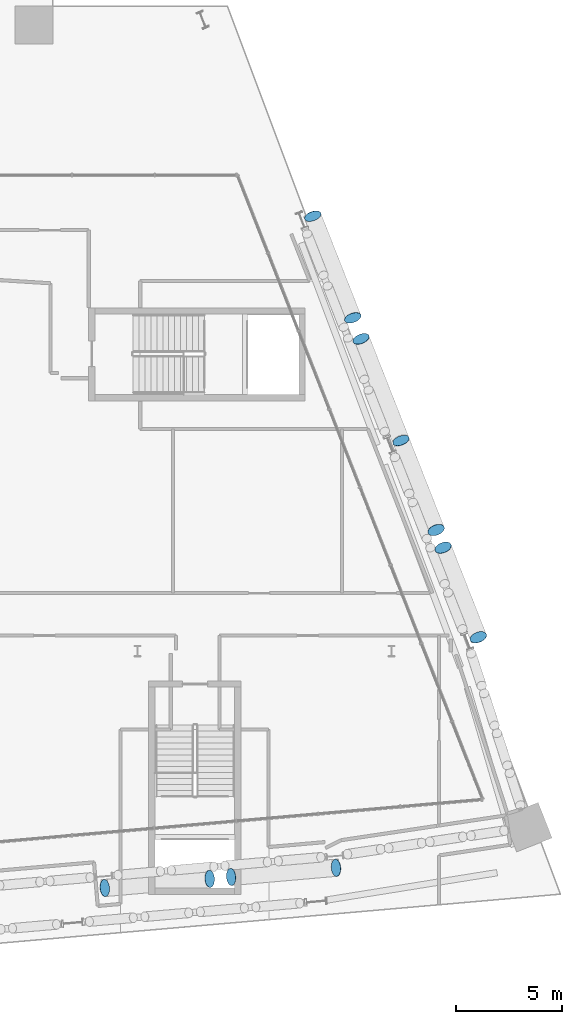
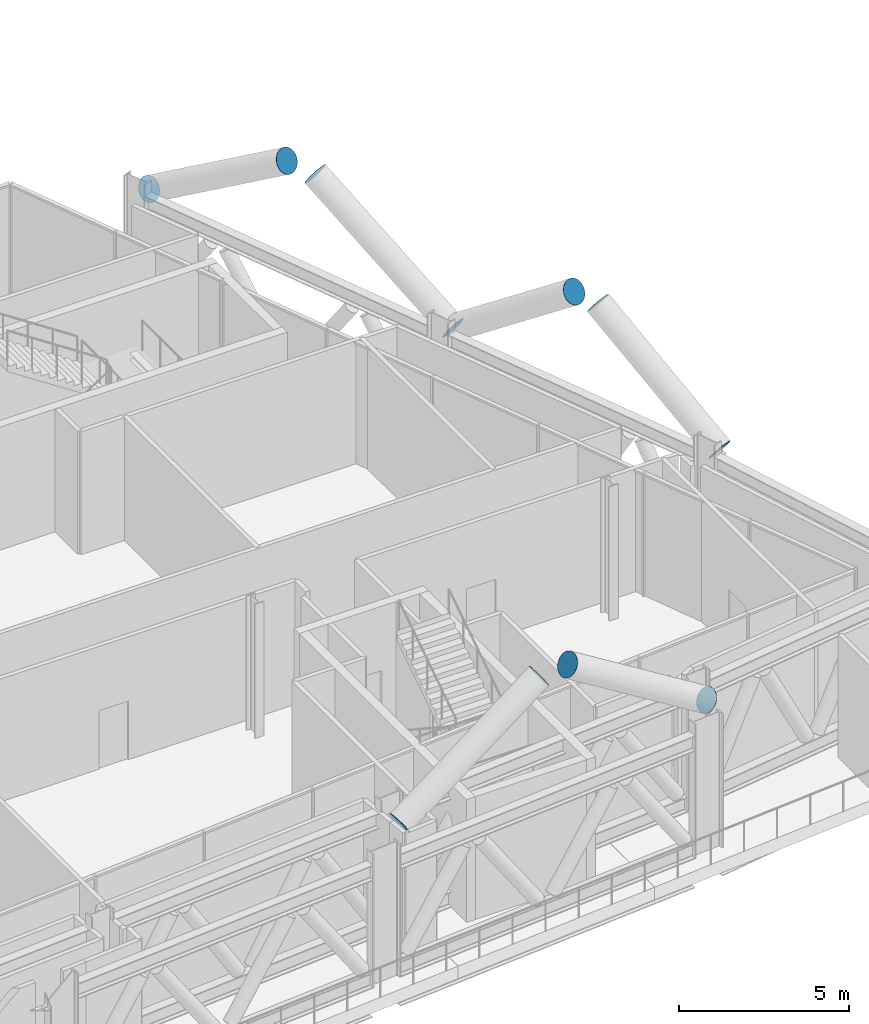
# One storey, part 25 of 39: 11 discrete accessories.
"""IFC4 building model written with IfcOpenShell, lengths in metres."""

from ifc_helpers import new_model, si_unit, direction, frame, origin, origin_2d, place, context, subcontext, project, spatial, circle, extrude, material, material_profile, profile_set, type_object, element, save


model = new_model("IFC4")

# Units and contexts
model_context = context("Model", 3, precision=1e-05, world=origin(), true_north=direction((0.0, 1.0)))
body_context = subcontext(model_context, "Body", "Model", "MODEL_VIEW")
ifc_project = project(units=[si_unit("LENGTHUNIT", "METRE"), si_unit("AREAUNIT", "SQUARE_METRE"), si_unit("VOLUMEUNIT", "CUBIC_METRE"), si_unit("PLANEANGLEUNIT", "RADIAN"), si_unit("MASSUNIT", "GRAM", prefix="KILO")], contexts=[model_context])

# Site, building, storey
site_placement = place(None, origin())
site = spatial("IfcSite", under=ifc_project, at=site_placement, CompositionType="ELEMENT")
building_placement = place(site_placement, origin())
building = spatial("IfcBuilding", under=site, at=building_placement, Name="Wharfspan Tower", CompositionType="ELEMENT")
storey_placement = place(building_placement, frame((0.0, 0.0, 91.899902)))
storey = spatial("IfcBuildingStorey", under=building, at=storey_placement, Name="L20", CompositionType="ELEMENT", Elevation=91.899902)

# Discrete accessories
ifc_material = material(Name="Steel S460NH", Category="steel")
ifc_material_profile = material_profile(ifc_material, circle(Radius=0.406494, at=origin_2d()))
ifc_profile_set = profile_set([ifc_material_profile], Name="Steel S460NH")
discrete_accessory_type = type_object("IfcDiscreteAccessoryType", Name="End plate CHS 813x40", PredefinedType="BRACKET", material=ifc_profile_set)
for number, where, z_axis, x_axis, name in (
    (1, (70.444092, 0.299072, 4.094727), (0.837276, 0.073877, 0.541767), (-0.087893, 0.996132, -1e-06), "End plate CHS 813x40"),
    (2, (75.401855, 0.73291, 7.362305), (0.838548, 0.049326, 0.54259), (-0.058722, 0.99827, 1e-06), "End plate CHS 813x40"),
    (3, (81.384521, 1.256104, 4.094727), (-0.837276, -0.073877, 0.541767), (0.087893, -0.996132, -1e-06), "End plate CHS 813x40"),
    (4, (76.427002, 0.82251, 7.362305), (-0.844416, -0.072379, 0.530776), (0.085402, -0.99635, 0.0), "End plate CHS 813x40"),
):
    element("IfcDiscreteAccessory", number, at=place(storey_placement, frame(where, z_axis=z_axis, x_axis=x_axis)), inside=storey, type_object=discrete_accessory_type, Name=name, PredefinedType="BRACKET", context=body_context, shape_type="SweptSolid", body=[
        extrude(circle(Radius=0.406494, at=origin_2d()), origin(), (0.0, 0.0, 1.0), 0.01001),
    ])
discrete_accessory_placement = place(storey_placement, frame((84.452148, 21.446045, 4.094727), z_axis=(-0.311472, 0.79066, 0.527107), x_axis=(-0.93041, -0.366525, 0.0)))
element("IfcDiscreteAccessory", 5, at=discrete_accessory_placement, inside=storey, type_object=discrete_accessory_type, Name="End plate CHS 813x40", PredefinedType="BRACKET", context=body_context, shape_type="SweptSolid", body=[
    extrude(circle(Radius=0.406494, at=origin_2d()), origin(), (0.0, 0.0, 1.0), 0.010254),
])
for number, where, z_axis, x_axis, name in (
    (6, (82.563477, 26.251709, 7.358398), (-0.317451, 0.781418, 0.537225), (-0.92647, -0.376377, -2e-06), "End plate CHS 813x40"),
    (7, (80.279541, 32.063477, 4.094727), (0.289598, -0.796395, 0.53093), (0.939792, 0.341743, 1e-06), "End plate CHS 813x40"),
    (8, (82.168213, 27.257812, 7.358398), (0.289598, -0.796395, 0.53093), (0.939792, 0.341743, 1e-06), "End plate CHS 813x40"),
    (9, (88.106445, 12.147949, 4.094238), (-0.292683, 0.756098, 0.585366), (-0.932565, -0.360992, -1e-06), "End plate CHS 813x40"),
    (10, (86.442627, 16.381348, 7.372314), (-0.292683, 0.756098, 0.585366), (-0.932565, -0.360992, -1e-06), "End plate CHS 813x40"),
    (11, (86.109863, 17.228027, 7.372314), (0.292683, -0.756098, 0.585366), (0.932565, 0.360992, -1e-06), "End plate CHS 813x40"),
):
    element("IfcDiscreteAccessory", number, at=place(storey_placement, frame(where, z_axis=z_axis, x_axis=x_axis)), inside=storey, type_object=discrete_accessory_type, Name=name, PredefinedType="BRACKET", context=body_context, shape_type="SweptSolid", body=[
        extrude(circle(Radius=0.406494, at=origin_2d()), origin(), (0.0, 0.0, 1.0), 0.01001),
    ])

save(model, "model.ifc")
